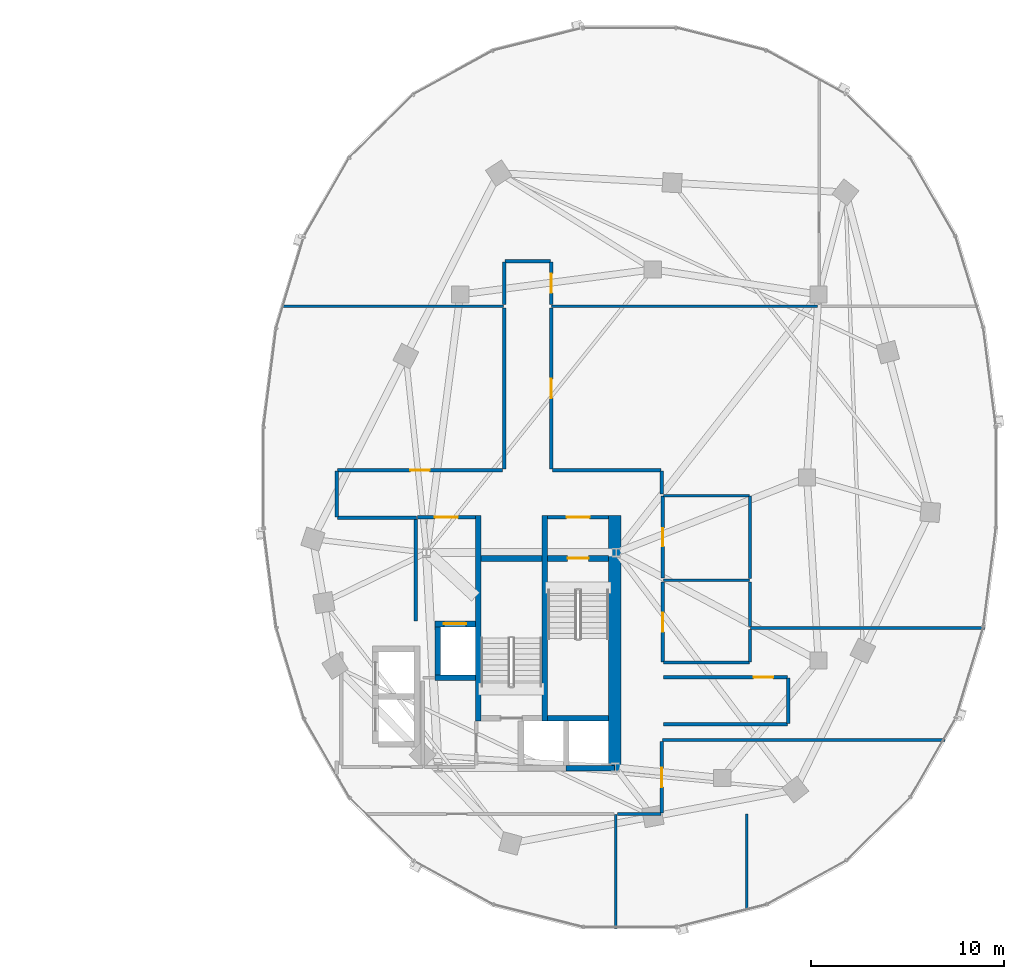
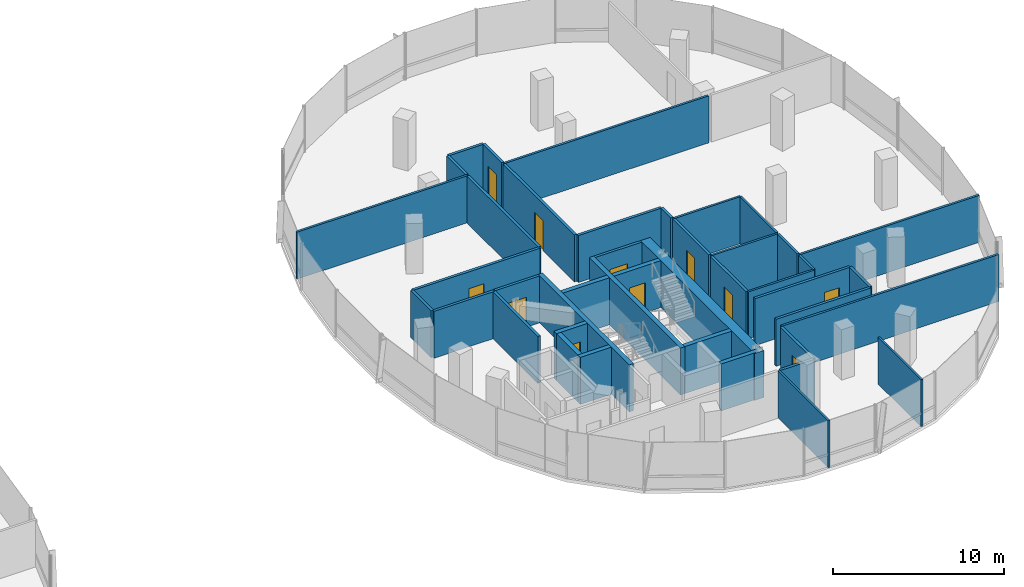
# One storey, part 14 of 22: 42 walls, 11 doors, 11 openings.
"""IFC4 building model written with IfcOpenShell, lengths in metres."""

from ifc_helpers import new_model, si_unit, direction, frame, frame_2d, origin, place, context, subcontext, project, spatial, rectangle, extrude, material, layer, layer_set, type_object, element, fill, save


model = new_model("IFC4")

# Units and contexts
model_context = context("Model", 3, precision=1e-05, world=origin(), true_north=direction((0.0, 1.0)))
body_context = subcontext(model_context, "Body", "Model", "MODEL_VIEW")
ifc_project = project(units=[si_unit("LENGTHUNIT", "METRE"), si_unit("AREAUNIT", "SQUARE_METRE"), si_unit("VOLUMEUNIT", "CUBIC_METRE"), si_unit("PLANEANGLEUNIT", "RADIAN"), si_unit("MASSUNIT", "GRAM", prefix="KILO"), si_unit("THERMODYNAMICTEMPERATUREUNIT", "KELVIN"), si_unit("POWERUNIT", "WATT")], contexts=[model_context])

# Site, building, storey
site_placement = place(None, origin())
site = spatial("IfcSite", under=ifc_project, at=site_placement, CompositionType="ELEMENT")
building_placement = place(site_placement, origin())
building = spatial("IfcBuilding", under=site, at=building_placement, Name="Cundina Bronze Exchange", CompositionType="ELEMENT")
storey_placement = place(building_placement, frame((0.0, 0.0, 162.0)))
storey = spatial("IfcBuildingStorey", under=building, at=storey_placement, Name="L42", CompositionType="ELEMENT", Elevation=162.0)

# Wall
ifc_material_1 = material(Name="Gypsum Fireboard Partition EI120")
ifc_layer_1 = layer(ifc_material_1, 0.179931640625, Name="Gypsum Fireboard Partition EI120")
ifc_layer_set_1 = layer_set([ifc_layer_1], Name="Gypsum Fireboard Partition EI120")
wall_type_1 = type_object("IfcWallType", Name="WL-COR-180", PredefinedType="PARTITIONING", material=ifc_layer_set_1)
wall_1_placement = place(storey_placement, frame((20.889892578125, -7.449951171875, 0.0), z_axis=(0.0, 0.0, 1.0), x_axis=(0.0, 1.0, 0.0)))
element("IfcWall", 1, at=wall_1_placement, inside=storey, type_object=wall_type_1, Name="L42 E Firefighting Lobby Side Wall", PredefinedType="PARTITIONING", context=body_context, shape_type="SweptSolid", body=[
    extrude(rectangle(XDim=5.300048828125, YDim=0.179931640625, at=frame_2d((2.64990234375, 0.0))), origin(), (0.0, 0.0, 1.0), 3.360107421875),
])

# Wall, opening, door
wall_2_placement = place(storey_placement, frame((20.97998046875, -2.06005859375, 0.0), z_axis=(0.0, 0.0, 1.0), x_axis=(1.0, 0.0, 0.0)))
wall_2 = element("IfcWall", 2, at=wall_2_placement, inside=storey, type_object=wall_type_1, Name="L42 E Firefighting Lobby Exit Wall", PredefinedType="PARTITIONING", context=body_context, shape_type="SweptSolid", body=[
    extrude(rectangle(XDim=3.0, YDim=0.179931640625, at=frame_2d((1.5, 0.0))), origin(), (0.0, 0.0, 1.0), 3.360107421875),
])
opening_1_placement = place(wall_2_placement, frame((0.89990234375, 0.0, 0.0)))
opening_1 = element("IfcOpeningElement", 3, at=opening_1_placement, cuts=wall_2, Name="Opening DF-01", PredefinedType="OPENING", context=body_context, shape_type="SweptSolid", body=[
    extrude(rectangle(XDim=1.199951171875, YDim=2.14990234375, at=frame_2d((0.60009765625, 1.074951171875))), frame((0.0, 0.099853515625, 0.0), z_axis=(0.0, -1.0, 0.0), x_axis=(1.0, 0.0, 0.0)), (0.0, 0.0, 1.0), 0.199951171875),
])
ifc_material_2 = material(Name="Steel ASTM A36 Painted", Category="steel")
door_type_1 = type_object("IfcDoorType", Name="DR-FFL-1200", OperationType="NOTDEFINED", PredefinedType="DOOR", material=ifc_material_2)
door_1_placement = place(opening_1_placement, origin())
door_1 = element("IfcDoor", 4, at=door_1_placement, inside=storey, type_object=door_type_1, Name="L42 E Firefighting Lobby Door", OperationType="SINGLE_SWING_LEFT", OverallHeight=2.14990234375, OverallWidth=1.199951171875, PredefinedType="DOOR", context=body_context, shape_type="SweptSolid", body=[
    extrude(rectangle(XDim=1.199951171875, YDim=2.14990234375, at=frame_2d((0.60009765625, 1.074951171875))), frame((0.0, 0.02490234375, 0.0), z_axis=(0.0, -1.0, 0.0), x_axis=(1.0, 0.0, 0.0)), (0.0, 0.0, 1.0), 0.050048828125),
])
fill(opening_1, door_1)

wall_3_placement = place(storey_placement, frame((27.739990234375, -2.06005859375, 0.0), z_axis=(0.0, 0.0, 1.0), x_axis=(1.0, 0.0, 0.0)))
wall_3 = element("IfcWall", 5, at=wall_3_placement, inside=storey, type_object=wall_type_1, Name="L42 E Stair Vestibule Exit Wall", PredefinedType="PARTITIONING", context=body_context, shape_type="SweptSolid", body=[
    extrude(rectangle(XDim=3.159912109375, YDim=0.179931640625, at=frame_2d((1.580078125, 0.0))), origin(), (0.0, 0.0, 1.0), 3.360107421875),
])
opening_2_placement = place(wall_3_placement, frame((0.97998046875, 0.0, 0.0)))
opening_2 = element("IfcOpeningElement", 6, at=opening_2_placement, cuts=wall_3, Name="Opening DF-01", PredefinedType="OPENING", context=body_context, shape_type="SweptSolid", body=[
    extrude(rectangle(XDim=1.199951171875, YDim=2.14990234375, at=frame_2d((0.60009765625, 1.074951171875))), frame((0.0, 0.099853515625, 0.0), z_axis=(0.0, -1.0, 0.0), x_axis=(1.0, 0.0, 0.0)), (0.0, 0.0, 1.0), 0.199951171875),
])
door_2_placement = place(opening_2_placement, origin())
door_2 = element("IfcDoor", 7, at=door_2_placement, inside=storey, type_object=door_type_1, Name="L42 E Stair Vestibule Door", OperationType="SINGLE_SWING_RIGHT", OverallHeight=2.14990234375, OverallWidth=1.199951171875, PredefinedType="DOOR", context=body_context, shape_type="SweptSolid", body=[
    extrude(rectangle(XDim=1.199951171875, YDim=2.14990234375, at=frame_2d((0.60009765625, 1.074951171875))), frame((0.0, 0.02490234375, 0.0), z_axis=(0.0, -1.0, 0.0), x_axis=(1.0, 0.0, 0.0)), (0.0, 0.0, 1.0), 0.050048828125),
])
fill(opening_2, door_2)

wall_4_placement = place(storey_placement, frame((33.719970703125, -5.22998046875, 0.0), z_axis=(0.0, 0.0, 1.0), x_axis=(0.0, 1.0, 0.0)))
wall_4 = element("IfcWall", 8, at=wall_4_placement, inside=storey, type_object=wall_type_1, Name="L42 Interior Partition 055", PredefinedType="PARTITIONING", context=body_context, shape_type="SweptSolid", body=[
    extrude(rectangle(XDim=4.260009765625, YDim=0.179931640625, at=frame_2d((2.1298828125, 0.0))), origin(), (0.0, 0.0, 1.0), 3.360107421875),
])
opening_3_placement = place(wall_4_placement, frame((1.655029296875, 0.0, 0.0)))
opening_3 = element("IfcOpeningElement", 9, at=opening_3_placement, cuts=wall_4, Name="Opening DW-01", PredefinedType="OPENING", context=body_context, shape_type="SweptSolid", body=[
    extrude(rectangle(XDim=0.949951171875, YDim=2.10009765625, at=frame_2d((0.47509765625, 1.050048828125))), frame((0.0, 0.099853515625, 0.0), z_axis=(0.0, -1.0, 0.0), x_axis=(1.0, 0.0, 0.0)), (0.0, 0.0, 1.0), 0.199951171875),
])
ifc_material_3 = material(Name="Solid Andean Oak Timber Grade A", Category="wood")
door_type_2 = type_object("IfcDoorType", Name="DR-WC-950", OperationType="NOTDEFINED", PredefinedType="DOOR", material=ifc_material_3)
door_3_placement = place(opening_3_placement, origin())
door_3 = element("IfcDoor", 10, at=door_3_placement, inside=storey, type_object=door_type_2, Name="L42 Interior Door 055", OperationType="SINGLE_SWING_RIGHT", OverallHeight=2.10009765625, OverallWidth=0.949951171875, PredefinedType="DOOR", context=body_context, shape_type="SweptSolid", body=[
    extrude(rectangle(XDim=0.949951171875, YDim=2.10009765625, at=frame_2d((0.47509765625, 1.050048828125))), frame((0.0, 0.02490234375, 0.0), z_axis=(0.0, -1.0, 0.0), x_axis=(1.0, 0.0, 0.0)), (0.0, 0.0, 1.0), 0.050048828125),
])
fill(opening_3, door_3)

wall_5_placement = place(storey_placement, frame((33.719970703125, -9.590087890625, 0.0), z_axis=(0.0, 0.0, 1.0), x_axis=(0.0, 1.0, 0.0)))
wall_5 = element("IfcWall", 11, at=wall_5_placement, inside=storey, type_object=wall_type_1, Name="L42 Interior Partition 056", PredefinedType="PARTITIONING", context=body_context, shape_type="SweptSolid", body=[
    extrude(rectangle(XDim=4.16015625, YDim=0.179931640625, at=frame_2d((2.080078125, 0.0))), origin(), (0.0, 0.0, 1.0), 3.360107421875),
])
opening_4_placement = place(wall_5_placement, frame((1.580078125, 0.0, 0.0)))
opening_4 = element("IfcOpeningElement", 12, at=opening_4_placement, cuts=wall_5, Name="Opening DO-01", PredefinedType="OPENING", context=body_context, shape_type="SweptSolid", body=[
    extrude(rectangle(XDim=1.0, YDim=2.14990234375, at=frame_2d((0.5, 1.074951171875))), frame((0.0, 0.099853515625, 0.0), z_axis=(0.0, -1.0, 0.0), x_axis=(1.0, 0.0, 0.0)), (0.0, 0.0, 1.0), 0.199951171875),
])
door_type_3 = type_object("IfcDoorType", Name="DR-OFF-1000", OperationType="NOTDEFINED", PredefinedType="DOOR", material=ifc_material_3)
door_4_placement = place(opening_4_placement, origin())
door_4 = element("IfcDoor", 13, at=door_4_placement, inside=storey, type_object=door_type_3, Name="L42 Interior Door 056", OperationType="SINGLE_SWING_RIGHT", OverallHeight=2.14990234375, OverallWidth=1.0, PredefinedType="DOOR", context=body_context, shape_type="SweptSolid", body=[
    extrude(rectangle(XDim=1.0, YDim=2.14990234375, at=frame_2d((0.5, 1.074951171875))), frame((0.0, 0.02490234375, 0.0), z_axis=(0.0, -1.0, 0.0), x_axis=(1.0, 0.0, 0.0)), (0.0, 0.0, 1.0), 0.050048828125),
])
fill(opening_4, door_4)

wall_6_placement = place(storey_placement, frame((33.669921875, -17.428466796875, 0.0), z_axis=(0.0, 0.0, 1.0), x_axis=(0.0, 1.0, 0.0)))
wall_6 = element("IfcWall", 14, at=wall_6_placement, inside=storey, type_object=wall_type_1, Name="L42 Interior Partition 065", PredefinedType="PARTITIONING", context=body_context, shape_type="SweptSolid", body=[
    extrude(rectangle(XDim=3.718505859375, YDim=0.179931640625, at=frame_2d((1.859375, 0.0))), origin(), (0.0, 0.0, 1.0), 3.360107421875),
])
opening_5_placement = place(wall_6_placement, frame((1.359130859375, 0.0, 0.0)))
opening_5 = element("IfcOpeningElement", 15, at=opening_5_placement, cuts=wall_6, Name="Opening DO-01", PredefinedType="OPENING", context=body_context, shape_type="SweptSolid", body=[
    extrude(rectangle(XDim=1.0, YDim=2.14990234375, at=frame_2d((0.5, 1.074951171875))), frame((0.0, 0.099853515625, 0.0), z_axis=(0.0, -1.0, 0.0), x_axis=(1.0, 0.0, 0.0)), (0.0, 0.0, 1.0), 0.199951171875),
])
door_5_placement = place(opening_5_placement, origin())
door_5 = element("IfcDoor", 16, at=door_5_placement, inside=storey, type_object=door_type_3, Name="L42 Interior Door 065", OperationType="SINGLE_SWING_LEFT", OverallHeight=2.14990234375, OverallWidth=1.0, PredefinedType="DOOR", context=body_context, shape_type="SweptSolid", body=[
    extrude(rectangle(XDim=1.0, YDim=2.14990234375, at=frame_2d((0.5, 1.074951171875))), frame((0.0, 0.02490234375, 0.0), z_axis=(0.0, -1.0, 0.0), x_axis=(1.0, 0.0, 0.0)), (0.0, 0.0, 1.0), 0.050048828125),
])
fill(opening_5, door_5)

# Walls
wall_7_placement = place(storey_placement, frame((31.3701171875, -17.469970703125, 0.0), z_axis=(0.0, 0.0, 1.0), x_axis=(1.0, 0.0, 0.0)))
element("IfcWall", 17, at=wall_7_placement, inside=storey, type_object=wall_type_1, Name="L42 Interior Partition 066", PredefinedType="PARTITIONING", context=body_context, shape_type="SweptSolid", body=[
    extrude(rectangle(XDim=2.25830078125, YDim=0.179931640625, at=frame_2d((1.129150390625, 0.0))), origin(), (0.0, 0.0, 1.0), 3.360107421875),
])
wall_8_placement = place(storey_placement, frame((33.75, -12.820068359375, 0.0), z_axis=(0.0, 0.0, 1.0), x_axis=(1.0, 0.0, 0.0)))
element("IfcWall", 18, at=wall_8_placement, inside=storey, type_object=wall_type_1, Name="L42 Interior Partition 067", PredefinedType="PARTITIONING", context=body_context, shape_type="SweptSolid", body=[
    extrude(rectangle(XDim=6.428466796875, YDim=0.179931640625, at=frame_2d((3.21435546875, 0.0))), origin(), (0.0, 0.0, 1.0), 3.360107421875),
])

# Wall, opening, door
wall_9_placement = place(storey_placement, frame((40.178466796875, -10.3798828125, 0.0), z_axis=(0.0, 0.0, 1.0), x_axis=(-1.0, 0.0, 0.0)))
wall_9 = element("IfcWall", 19, at=wall_9_placement, inside=storey, type_object=wall_type_1, Name="L42 Interior Partition 068", PredefinedType="PARTITIONING", context=body_context, shape_type="SweptSolid", body=[
    extrude(rectangle(XDim=6.428466796875, YDim=0.179931640625, at=frame_2d((3.21435546875, 0.0))), origin(), (0.0, 0.0, 1.0), 3.360107421875),
])
opening_6_placement = place(wall_9_placement, frame((0.74267578125, 0.0, 0.0)))
opening_6 = element("IfcOpeningElement", 20, at=opening_6_placement, cuts=wall_9, Name="Opening DO-01", PredefinedType="OPENING", context=body_context, shape_type="SweptSolid", body=[
    extrude(rectangle(XDim=1.0, YDim=2.14990234375, at=frame_2d((0.5, 1.074951171875))), frame((0.0, 0.099853515625, 0.0), z_axis=(0.0, -1.0, 0.0), x_axis=(1.0, 0.0, 0.0)), (0.0, 0.0, 1.0), 0.199951171875),
])
door_6_placement = place(opening_6_placement, origin())
door_6 = element("IfcDoor", 21, at=door_6_placement, inside=storey, type_object=door_type_3, Name="L42 Interior Door 068", OperationType="SINGLE_SWING_RIGHT", OverallHeight=2.14990234375, OverallWidth=1.0, PredefinedType="DOOR", context=body_context, shape_type="SweptSolid", body=[
    extrude(rectangle(XDim=1.0, YDim=2.14990234375, at=frame_2d((0.5, 1.074951171875))), frame((0.0, 0.02490234375, 0.0), z_axis=(0.0, -1.0, 0.0), x_axis=(1.0, 0.0, 0.0)), (0.0, 0.0, 1.0), 0.050048828125),
])
fill(opening_6, door_6)

# Wall
wall_10_placement = place(storey_placement, frame((40.219970703125, -12.778564453125, 0.0), z_axis=(0.0, 0.0, 1.0), x_axis=(0.0, 1.0, 0.0)))
element("IfcWall", 22, at=wall_10_placement, inside=storey, type_object=wall_type_1, Name="L42 Interior Partition 069", PredefinedType="PARTITIONING", context=body_context, shape_type="SweptSolid", body=[
    extrude(rectangle(XDim=2.357177734375, YDim=0.179931640625, at=frame_2d((1.1787109375, 0.0))), origin(), (0.0, 0.0, 1.0), 3.360107421875),
])

# Wall, opening, door
wall_11_placement = place(storey_placement, frame((25.39990234375, 0.3701171875, 0.0), z_axis=(0.0, 0.0, 1.0), x_axis=(-1.0, 0.0, 0.0)))
wall_11 = element("IfcWall", 23, at=wall_11_placement, inside=storey, type_object=wall_type_1, Name="L42 Interior Partition 070", PredefinedType="PARTITIONING", context=body_context, shape_type="SweptSolid", body=[
    extrude(rectangle(XDim=8.578369140625, YDim=0.179931640625, at=frame_2d((4.2890625, 0.0))), origin(), (0.0, 0.0, 1.0), 3.360107421875),
])
opening_7_placement = place(wall_11_placement, frame((3.789306640625, 0.0, 0.0)))
opening_7 = element("IfcOpeningElement", 24, at=opening_7_placement, cuts=wall_11, Name="Opening DO-01", PredefinedType="OPENING", context=body_context, shape_type="SweptSolid", body=[
    extrude(rectangle(XDim=1.0, YDim=2.14990234375, at=frame_2d((0.5, 1.074951171875))), frame((0.0, 0.099853515625, 0.0), z_axis=(0.0, -1.0, 0.0), x_axis=(1.0, 0.0, 0.0)), (0.0, 0.0, 1.0), 0.199951171875),
])
door_7_placement = place(opening_7_placement, origin())
door_7 = element("IfcDoor", 25, at=door_7_placement, inside=storey, type_object=door_type_3, Name="L42 Interior Door 070", OperationType="SINGLE_SWING_LEFT", OverallHeight=2.14990234375, OverallWidth=1.0, PredefinedType="DOOR", context=body_context, shape_type="SweptSolid", body=[
    extrude(rectangle(XDim=1.0, YDim=2.14990234375, at=frame_2d((0.5, 1.074951171875))), frame((0.0, 0.02490234375, 0.0), z_axis=(0.0, -1.0, 0.0), x_axis=(1.0, 0.0, 0.0)), (0.0, 0.0, 1.0), 0.050048828125),
])
fill(opening_7, door_7)

# Walls
wall_12_placement = place(storey_placement, frame((25.47998046875, 8.800048828125, 0.0), z_axis=(0.0, 0.0, 1.0), x_axis=(0.0, -1.0, 0.0)))
element("IfcWall", 26, at=wall_12_placement, inside=storey, type_object=wall_type_1, Name="L42 Interior Partition 071", PredefinedType="PARTITIONING", context=body_context, shape_type="SweptSolid", body=[
    extrude(rectangle(XDim=8.35009765625, YDim=0.179931640625, at=frame_2d((4.175048828125, 0.0))), origin(), (0.0, 0.0, 1.0), 3.360107421875),
])
wall_13_placement = place(storey_placement, frame((16.821533203125, -2.10009765625, 0.0), z_axis=(0.0, 0.0, 1.0), x_axis=(1.0, 0.0, 0.0)))
element("IfcWall", 27, at=wall_13_placement, inside=storey, type_object=wall_type_1, Name="L42 Interior Partition 072", PredefinedType="PARTITIONING", context=body_context, shape_type="SweptSolid", body=[
    extrude(rectangle(XDim=4.098388671875, YDim=0.179931640625, at=frame_2d((2.04931640625, 0.0))), origin(), (0.0, 0.0, 1.0), 3.360107421875),
])
wall_14_placement = place(storey_placement, frame((16.780029296875, 0.32861328125, 0.0), z_axis=(0.0, 0.0, 1.0), x_axis=(0.0, -1.0, 0.0)))
element("IfcWall", 28, at=wall_14_placement, inside=storey, type_object=wall_type_1, Name="L42 Interior Partition 073", PredefinedType="PARTITIONING", context=body_context, shape_type="SweptSolid", body=[
    extrude(rectangle(XDim=2.38720703125, YDim=0.179931640625, at=frame_2d((1.193603515625, 0.0))), origin(), (0.0, 0.0, 1.0), 3.360107421875),
])

# Wall, opening, door
wall_15_placement = place(storey_placement, frame((27.919921875, 0.449951171875, 0.0), z_axis=(0.0, 0.0, 1.0), x_axis=(0.0, 1.0, 0.0)))
wall_15 = element("IfcWall", 29, at=wall_15_placement, inside=storey, type_object=wall_type_1, Name="L42 Interior Partition 075", PredefinedType="PARTITIONING", context=body_context, shape_type="SweptSolid", body=[
    extrude(rectangle(XDim=8.35009765625, YDim=0.179931640625, at=frame_2d((4.175048828125, 0.0))), origin(), (0.0, 0.0, 1.0), 3.360107421875),
])
opening_8_placement = place(wall_15_placement, frame((3.675048828125, 0.0, 0.0)))
opening_8 = element("IfcOpeningElement", 30, at=opening_8_placement, cuts=wall_15, Name="Opening DO-01", PredefinedType="OPENING", context=body_context, shape_type="SweptSolid", body=[
    extrude(rectangle(XDim=1.0, YDim=2.14990234375, at=frame_2d((0.5, 1.074951171875))), frame((0.0, 0.099853515625, 0.0), z_axis=(0.0, -1.0, 0.0), x_axis=(1.0, 0.0, 0.0)), (0.0, 0.0, 1.0), 0.199951171875),
])
door_8_placement = place(opening_8_placement, origin())
door_8 = element("IfcDoor", 31, at=door_8_placement, inside=storey, type_object=door_type_3, Name="L42 Interior Door 075", OperationType="SINGLE_SWING_LEFT", OverallHeight=2.14990234375, OverallWidth=1.0, PredefinedType="DOOR", context=body_context, shape_type="SweptSolid", body=[
    extrude(rectangle(XDim=1.0, YDim=2.14990234375, at=frame_2d((0.5, 1.074951171875))), frame((0.0, 0.02490234375, 0.0), z_axis=(0.0, -1.0, 0.0), x_axis=(1.0, 0.0, 0.0)), (0.0, 0.0, 1.0), 0.050048828125),
])
fill(opening_8, door_8)

# Walls
wall_16_placement = place(storey_placement, frame((33.62841796875, 0.3701171875, 0.0), z_axis=(0.0, 0.0, 1.0), x_axis=(-1.0, 0.0, 0.0)))
element("IfcWall", 32, at=wall_16_placement, inside=storey, type_object=wall_type_1, Name="L42 Interior Partition 076", PredefinedType="PARTITIONING", context=body_context, shape_type="SweptSolid", body=[
    extrude(rectangle(XDim=5.62841796875, YDim=0.179931640625, at=frame_2d((2.814208984375, 0.0))), origin(), (0.0, 0.0, 1.0), 3.360107421875),
])
wall_17_placement = place(storey_placement, frame((33.669921875, -0.858642578125, 0.0), z_axis=(0.0, 0.0, 1.0), x_axis=(0.0, 1.0, 0.0)))
element("IfcWall", 33, at=wall_17_placement, inside=storey, type_object=wall_type_1, Name="L42 Interior Partition 077", PredefinedType="PARTITIONING", context=body_context, shape_type="SweptSolid", body=[
    extrude(rectangle(XDim=1.187255859375, YDim=0.179931640625, at=frame_2d((0.59375, 0.0))), origin(), (0.0, 0.0, 1.0), 3.360107421875),
])
wall_18_placement = place(storey_placement, frame((27.87841796875, 11.219970703125, 0.0), z_axis=(0.0, 0.0, 1.0), x_axis=(-1.0, 0.0, 0.0)))
element("IfcWall", 34, at=wall_18_placement, inside=storey, type_object=wall_type_1, Name="L42 Interior Partition 078", PredefinedType="PARTITIONING", context=body_context, shape_type="SweptSolid", body=[
    extrude(rectangle(XDim=2.35693359375, YDim=0.179931640625, at=frame_2d((1.178466796875, 0.0))), origin(), (0.0, 0.0, 1.0), 3.360107421875),
])
wall_19_placement = place(storey_placement, frame((25.47998046875, 11.178466796875, 0.0), z_axis=(0.0, 0.0, 1.0), x_axis=(0.0, -1.0, 0.0)))
element("IfcWall", 35, at=wall_19_placement, inside=storey, type_object=wall_type_1, Name="L42 Interior Partition 079", PredefinedType="PARTITIONING", context=body_context, shape_type="SweptSolid", body=[
    extrude(rectangle(XDim=2.198486328125, YDim=0.179931640625, at=frame_2d((1.09912109375, 0.0))), origin(), (0.0, 0.0, 1.0), 3.360107421875),
])

# Wall, opening, door
wall_20_placement = place(storey_placement, frame((27.919921875, 8.97998046875, 0.0), z_axis=(0.0, 0.0, 1.0), x_axis=(0.0, 1.0, 0.0)))
wall_20 = element("IfcWall", 36, at=wall_20_placement, inside=storey, type_object=wall_type_1, Name="L42 Interior Partition 080", PredefinedType="PARTITIONING", context=body_context, shape_type="SweptSolid", body=[
    extrude(rectangle(XDim=2.198486328125, YDim=0.179931640625, at=frame_2d((1.09912109375, 0.0))), origin(), (0.0, 0.0, 1.0), 3.360107421875),
])
opening_9_placement = place(wall_20_placement, frame((0.59912109375, 0.0, 0.0)))
opening_9 = element("IfcOpeningElement", 37, at=opening_9_placement, cuts=wall_20, Name="Opening DO-01", PredefinedType="OPENING", context=body_context, shape_type="SweptSolid", body=[
    extrude(rectangle(XDim=1.0, YDim=2.14990234375, at=frame_2d((0.5, 1.074951171875))), frame((0.0, 0.099853515625, 0.0), z_axis=(0.0, -1.0, 0.0), x_axis=(1.0, 0.0, 0.0)), (0.0, 0.0, 1.0), 0.199951171875),
])
door_9_placement = place(opening_9_placement, origin())
door_9 = element("IfcDoor", 38, at=door_9_placement, inside=storey, type_object=door_type_3, Name="L42 Interior Door 080", OperationType="SINGLE_SWING_LEFT", OverallHeight=2.14990234375, OverallWidth=1.0, PredefinedType="DOOR", context=body_context, shape_type="SweptSolid", body=[
    extrude(rectangle(XDim=1.0, YDim=2.14990234375, at=frame_2d((0.5, 1.074951171875))), frame((0.0, 0.02490234375, 0.0), z_axis=(0.0, -1.0, 0.0), x_axis=(1.0, 0.0, 0.0)), (0.0, 0.0, 1.0), 0.050048828125),
])
fill(opening_9, door_9)

# Walls
ifc_material_4 = material(Name="Concrete C50/60", Category="concrete")
ifc_layer_2 = layer(ifc_material_4, 0.64990234375, Name="Concrete C50/60", Category="concrete")
ifc_layer_set_2 = layer_set([ifc_layer_2], Name="Concrete C50/60")
wall_type_2 = type_object("IfcWallType", Name="WL-CORE-650", PredefinedType="SHEAR", material=ifc_layer_set_2)
wall_21_placement = place(storey_placement, frame((31.22509765625, -15.300048828125, 0.0), z_axis=(0.0, 0.0, 1.0), x_axis=(0.0, 1.0, 0.0)))
element("IfcWall", 39, at=wall_21_placement, inside=storey, type_object=wall_type_2, Name="L42 E Primary Core Shear Spine Wall", PredefinedType="SHEAR", context=body_context, shape_type="SweptSolid", body=[
    extrude(rectangle(XDim=13.330078125, YDim=0.64990234375, at=frame_2d((6.6650390625, 0.0))), origin(), (0.0, 0.0, 1.0), 3.360107421875),
])
ifc_material_5 = material(Name="Gypsum Acoustic Partition EI60")
ifc_layer_3 = layer(ifc_material_5, 0.125, Name="Gypsum Acoustic Partition EI60")
ifc_layer_set_3 = layer_set([ifc_layer_3], Name="Gypsum Acoustic Partition EI60")
wall_type_3 = type_object("IfcWallType", Name="WL-OFF-125", PredefinedType="PARTITIONING", material=ifc_layer_set_3)
wall_22_placement = place(storey_placement, frame((31.280029296875, -23.402099609375, 0.0), z_axis=(0.0, 0.0, 1.0), x_axis=(0.0, 1.0, 0.0)))
element("IfcWall", 40, at=wall_22_placement, inside=storey, type_object=wall_type_3, Name="L42 Interior Partition 062", PredefinedType="PARTITIONING", context=body_context, shape_type="SweptSolid", body=[
    extrude(rectangle(XDim=5.902099609375, YDim=0.125, at=frame_2d((2.951171875, 0.0))), origin(), (0.0, 0.0, 1.0), 3.360107421875),
])
wall_23_placement = place(storey_placement, frame((38.080078125, -22.4912109375, 0.0), z_axis=(0.0, 0.0, 1.0), x_axis=(0.0, 1.0, 0.0)))
element("IfcWall", 41, at=wall_23_placement, inside=storey, type_object=wall_type_3, Name="L42 Interior Partition 063", PredefinedType="PARTITIONING", context=body_context, shape_type="SweptSolid", body=[
    extrude(rectangle(XDim=5.021240234375, YDim=0.125, at=frame_2d((2.5107421875, 0.0))), origin(), (0.0, 0.0, 1.0), 3.360107421875),
])
ifc_layer_4 = layer(ifc_material_4, 0.300048828125, Name="Concrete C50/60", Category="concrete")
ifc_layer_set_4 = layer_set([ifc_layer_4], Name="Concrete C50/60")
wall_type_4 = type_object("IfcWallType", Name="WL-SHFT-300", PredefinedType="SHEAR", material=ifc_layer_set_4)
for number, where, z_axis, x_axis, name in (
    (42, (27.590087890625, -12.64990234375, 0.0), (0.0, 0.0, 1.0), (0.0, 1.0, 0.0), "L42 E Stair Shaft Dividing Shear Wall"),
    (43, (24.1298828125, -12.64990234375, 0.0), (0.0, 0.0, 1.0), (0.0, 1.0, 0.0), "L42 E Stair 2 East Shear Wall"),
):
    element("IfcWall", number, at=place(storey_placement, frame(where, z_axis=z_axis, x_axis=x_axis)), inside=storey, type_object=wall_type_4, Name=name, PredefinedType="SHEAR", context=body_context, shape_type="SweptSolid", body=[
        extrude(rectangle(XDim=10.679931640625, YDim=0.300048828125, at=frame_2d((5.33984375, 0.0))), origin(), (0.0, 0.0, 1.0), 3.360107421875),
    ])

# Wall, opening, door
wall_24_placement = place(storey_placement, frame((27.739990234375, -4.199951171875, 0.0), z_axis=(0.0, 0.0, 1.0), x_axis=(1.0, 0.0, 0.0)))
wall_24 = element("IfcWall", 44, at=wall_24_placement, inside=storey, type_object=wall_type_4, Name="L42 Stair E1 Landing Wall", PredefinedType="SHEAR", context=body_context, shape_type="SweptSolid", body=[
    extrude(rectangle(XDim=3.159912109375, YDim=0.300048828125, at=frame_2d((1.580078125, 0.0))), origin(), (0.0, 0.0, 1.0), 3.360107421875),
])
opening_10_placement = place(wall_24_placement, frame((1.030029296875, 0.0, 0.0)))
opening_10 = element("IfcOpeningElement", 45, at=opening_10_placement, cuts=wall_24, Name="Opening DS-01", PredefinedType="OPENING", context=body_context, shape_type="SweptSolid", body=[
    extrude(rectangle(XDim=1.10009765625, YDim=2.14990234375, at=frame_2d((0.550048828125, 1.074951171875))), frame((0.0, 0.159912109375, 0.0), z_axis=(0.0, -1.0, 0.0), x_axis=(1.0, 0.0, 0.0)), (0.0, 0.0, 1.0), 0.320068359375),
])
door_type_4 = type_object("IfcDoorType", Name="DR-STR-1100", OperationType="NOTDEFINED", PredefinedType="DOOR", material=ifc_material_2)
door_10_placement = place(opening_10_placement, origin())
door_10 = element("IfcDoor", 46, at=door_10_placement, inside=storey, type_object=door_type_4, Name="L42 Smokeproof Stair E1 Door", OperationType="SINGLE_SWING_LEFT", OverallHeight=2.14990234375, OverallWidth=1.10009765625, PredefinedType="DOOR", context=body_context, shape_type="SweptSolid", body=[
    extrude(rectangle(XDim=1.10009765625, YDim=2.14990234375, at=frame_2d((0.550048828125, 1.074951171875))), frame((0.0, 0.02490234375, 0.0), z_axis=(0.0, -1.0, 0.0), x_axis=(1.0, 0.0, 0.0)), (0.0, 0.0, 1.0), 0.050048828125),
])
fill(opening_10, door_10)

# Walls
for number, where, z_axis, x_axis, name in (
    (47, (27.739990234375, -12.5, 0.0), (0.0, 0.0, 1.0), (1.0, 0.0, 0.0), "L42 Stair E1 Far Shaft Wall"),
    (48, (24.280029296875, -4.199951171875, 0.0), (0.0, 0.0, 1.0), (1.0, 0.0, 0.0), "L42 Stair E2 Far Shaft Wall"),
):
    element("IfcWall", number, at=place(storey_placement, frame(where, z_axis=z_axis, x_axis=x_axis)), inside=storey, type_object=wall_type_4, Name=name, PredefinedType="SHEAR", context=body_context, shape_type="SweptSolid", body=[
        extrude(rectangle(XDim=3.159912109375, YDim=0.300048828125, at=frame_2d((1.580078125, 0.0))), origin(), (0.0, 0.0, 1.0), 3.360107421875),
    ])

# Wall, opening, door
wall_25_placement = place(storey_placement, frame((21.8798828125, -7.60009765625, 0.0), z_axis=(0.0, 0.0, 1.0), x_axis=(1.0, 0.0, 0.0)))
wall_25 = element("IfcWall", 49, at=wall_25_placement, inside=storey, type_object=wall_type_4, Name="L42 FFL-E Hoistway Front Wall", PredefinedType="SHEAR", context=body_context, shape_type="SweptSolid", body=[
    extrude(rectangle(XDim=2.10009765625, YDim=0.300048828125, at=frame_2d((1.050048828125, 0.0))), origin(), (0.0, 0.0, 1.0), 3.360107421875),
])
opening_11_placement = place(wall_25_placement, frame((0.47509765625, 0.0, 0.0)))
opening_11 = element("IfcOpeningElement", 50, at=opening_11_placement, cuts=wall_25, Name="Opening LD-01", PredefinedType="OPENING", context=body_context, shape_type="SweptSolid", body=[
    extrude(rectangle(XDim=1.14990234375, YDim=2.199951171875, at=frame_2d((0.574951171875, 1.10009765625))), frame((0.0, 0.159912109375, 0.0), z_axis=(0.0, -1.0, 0.0), x_axis=(1.0, 0.0, 0.0)), (0.0, 0.0, 1.0), 0.320068359375),
])
door_type_5 = type_object("IfcDoorType", Name="DR-LND-1150", OperationType="NOTDEFINED", PredefinedType="TRAPDOOR", material=ifc_material_2)
door_11_placement = place(opening_11_placement, origin())
door_11 = element("IfcDoor", 51, at=door_11_placement, inside=storey, type_object=door_type_5, Name="L42 FFL-E Sliding Landing Door", OperationType="SLIDING_TO_LEFT", OverallHeight=2.199951171875, OverallWidth=1.14990234375, PredefinedType="TRAPDOOR", context=body_context, shape_type="SweptSolid", body=[
    extrude(rectangle(XDim=1.14990234375, YDim=2.199951171875, at=frame_2d((0.574951171875, 1.10009765625))), frame((0.0, 0.02490234375, 0.0), z_axis=(0.0, -1.0, 0.0), x_axis=(1.0, 0.0, 0.0)), (0.0, 0.0, 1.0), 0.050048828125),
])
fill(opening_11, door_11)

# Walls
wall_26_placement = place(storey_placement, frame((21.8798828125, -10.39990234375, 0.0), z_axis=(0.0, 0.0, 1.0), x_axis=(1.0, 0.0, 0.0)))
element("IfcWall", 52, at=wall_26_placement, inside=storey, type_object=wall_type_4, Name="L42 FFL-E Hoistway Back Wall", PredefinedType="SHEAR", context=body_context, shape_type="SweptSolid", body=[
    extrude(rectangle(XDim=2.10009765625, YDim=0.300048828125, at=frame_2d((1.050048828125, 0.0))), origin(), (0.0, 0.0, 1.0), 3.360107421875),
])
for number, where, z_axis, x_axis, name in (
    (53, (22.030029296875, -10.25, 0.0), (0.0, 0.0, 1.0), (0.0, 1.0, 0.0), "L42 FFL-E Hoistway Side Wall"),
    (54, (28.699951171875, -15.10009765625, 0.0), (0.0, 0.0, 1.0), (1.0, 0.0, 0.0), "L42 PH-E1 Hoistway Front Wall"),
):
    element("IfcWall", number, at=place(storey_placement, frame(where, z_axis=z_axis, x_axis=x_axis)), inside=storey, type_object=wall_type_4, Name=name, PredefinedType="SHEAR", context=body_context, shape_type="SweptSolid", body=[
        extrude(rectangle(XDim=2.5, YDim=0.300048828125, at=frame_2d((1.25, 0.0))), origin(), (0.0, 0.0, 1.0), 3.360107421875),
    ])
ifc_layer_5 = layer(ifc_material_5, 0.14990234375, Name="Gypsum Acoustic Partition EI60")
ifc_layer_set_5 = layer_set([ifc_layer_5], Name="Gypsum Acoustic Partition EI60")
wall_type_5 = type_object("IfcWallType", Name="WL-TEN-150", PredefinedType="PARTITIONING", material=ifc_layer_set_5)
wall_27_placement = place(storey_placement, frame((13.918212890625, 8.889892578125, 0.0), z_axis=(0.0, 0.0, 1.0), x_axis=(1.0, 0.0, 0.0)))
element("IfcWall", 55, at=wall_27_placement, inside=storey, type_object=wall_type_5, Name="L42 Interior Partition 057", PredefinedType="PARTITIONING", context=body_context, shape_type="SweptSolid", body=[
    extrude(rectangle(XDim=11.53173828125, YDim=0.14990234375, at=frame_2d((5.765869140625, 0.0))), origin(), (0.0, 0.0, 1.0), 3.360107421875),
])
wall_28_placement = place(storey_placement, frame((27.949951171875, 8.889892578125, 0.0), z_axis=(0.0, 0.0, 1.0), x_axis=(1.0, 0.0, 0.0)))
element("IfcWall", 56, at=wall_28_placement, inside=storey, type_object=wall_type_5, Name="L42 Interior Partition 058", PredefinedType="PARTITIONING", context=body_context, shape_type="SweptSolid", body=[
    extrude(rectangle(XDim=13.795166015625, YDim=0.14990234375, at=frame_2d((6.8974609375, 0.0))), origin(), (0.0, 0.0, 1.0), 3.360107421875),
])
wall_29_placement = place(storey_placement, frame((38.27001953125, -7.820068359375, 0.0), z_axis=(0.0, 0.0, 1.0), x_axis=(1.0, 0.0, 0.0)))
element("IfcWall", 57, at=wall_29_placement, inside=storey, type_object=wall_type_5, Name="L42 Interior Partition 060", PredefinedType="PARTITIONING", context=body_context, shape_type="SweptSolid", body=[
    extrude(rectangle(XDim=12.135986328125, YDim=0.14990234375, at=frame_2d((6.06787109375, 0.0))), origin(), (0.0, 0.0, 1.0), 3.360107421875),
])
wall_30_placement = place(storey_placement, frame((33.699951171875, -13.6201171875, 0.0), z_axis=(0.0, 0.0, 1.0), x_axis=(1.0, 0.0, 0.0)))
element("IfcWall", 58, at=wall_30_placement, inside=storey, type_object=wall_type_5, Name="L42 Interior Partition 061", PredefinedType="PARTITIONING", context=body_context, shape_type="SweptSolid", body=[
    extrude(rectangle(XDim=14.65576171875, YDim=0.14990234375, at=frame_2d((7.327880859375, 0.0))), origin(), (0.0, 0.0, 1.0), 3.360107421875),
])
ifc_material_6 = material(Name="Moisture-Resistant Masonry Block Grade M15", Category="masonry")
ifc_layer_6 = layer(ifc_material_6, 0.139892578125, Name="Moisture-Resistant Masonry Block Grade M15", Category="masonry")
ifc_layer_set_6 = layer_set([ifc_layer_6], Name="Moisture-Resistant Masonry Block Grade M15")
wall_type_6 = type_object("IfcWallType", Name="WL-WET-140", PredefinedType="PARTITIONING", material=ifc_layer_set_6)
wall_31_placement = place(storey_placement, frame((38.239990234375, -9.590087890625, 0.0), z_axis=(0.0, 0.0, 1.0), x_axis=(0.0, 1.0, 0.0)))
element("IfcWall", 59, at=wall_31_placement, inside=storey, type_object=wall_type_6, Name="L42 Interior Partition 049", PredefinedType="PARTITIONING", context=body_context, shape_type="SweptSolid", body=[
    extrude(rectangle(XDim=1.68505859375, YDim=0.139892578125, at=frame_2d((0.842529296875, 0.0))), origin(), (0.0, 0.0, 1.0), 3.360107421875),
])
wall_32_placement = place(storey_placement, frame((38.239990234375, -7.735107421875, 0.0), z_axis=(0.0, 0.0, 1.0), x_axis=(0.0, 1.0, 0.0)))
element("IfcWall", 60, at=wall_32_placement, inside=storey, type_object=wall_type_6, Name="L42 Interior Partition 050", PredefinedType="PARTITIONING", context=body_context, shape_type="SweptSolid", body=[
    extrude(rectangle(XDim=2.320068359375, YDim=0.139892578125, at=frame_2d((1.16015625, 0.0))), origin(), (0.0, 0.0, 1.0), 3.360107421875),
])
wall_33_placement = place(storey_placement, frame((38.239990234375, -5.2451171875, 0.0), z_axis=(0.0, 0.0, 1.0), x_axis=(0.0, 1.0, 0.0)))
element("IfcWall", 61, at=wall_33_placement, inside=storey, type_object=wall_type_6, Name="L42 Interior Partition 051", PredefinedType="PARTITIONING", context=body_context, shape_type="SweptSolid", body=[
    extrude(rectangle(XDim=4.275146484375, YDim=0.139892578125, at=frame_2d((2.1376953125, 0.0))), origin(), (0.0, 0.0, 1.0), 3.360107421875),
])
for number, where, z_axis, x_axis, name in (
    (62, (33.739990234375, -0.949951171875, 0.0), (0.0, 0.0, 1.0), (1.0, 0.0, 0.0), "L42 Interior Partition 052"),
    (63, (33.739990234375, -5.330078125, 0.0), (0.0, 0.0, 1.0), (1.0, 0.0, 0.0), "L42 Interior Partition 053"),
    (64, (33.739990234375, -9.610107421875, 0.0), (0.0, 0.0, 1.0), (1.0, 0.0, 0.0), "L42 Interior Partition 054"),
):
    element("IfcWall", number, at=place(storey_placement, frame(where, z_axis=z_axis, x_axis=x_axis)), inside=storey, type_object=wall_type_6, Name=name, PredefinedType="PARTITIONING", context=body_context, shape_type="SweptSolid", body=[
        extrude(rectangle(XDim=4.47998046875, YDim=0.139892578125, at=frame_2d((2.239990234375, 0.0))), origin(), (0.0, 0.0, 1.0), 3.360107421875),
    ])

save(model, "model.ifc")
